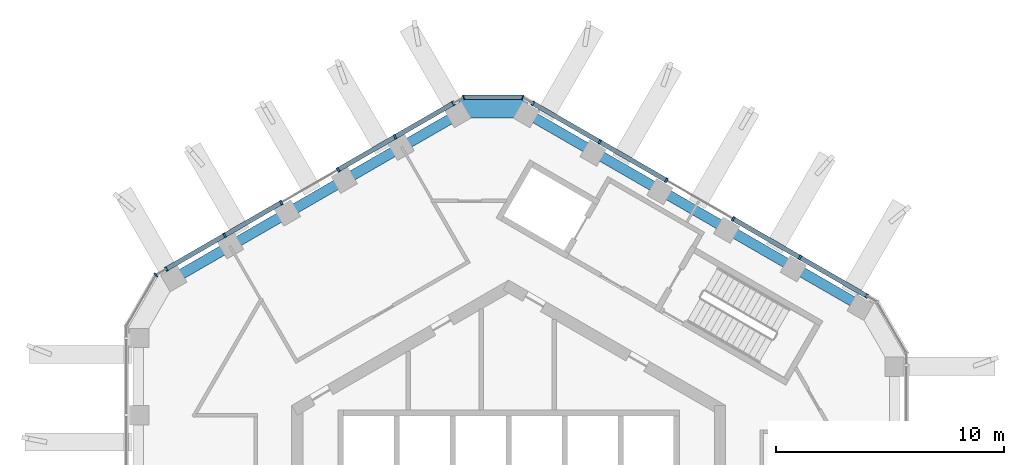
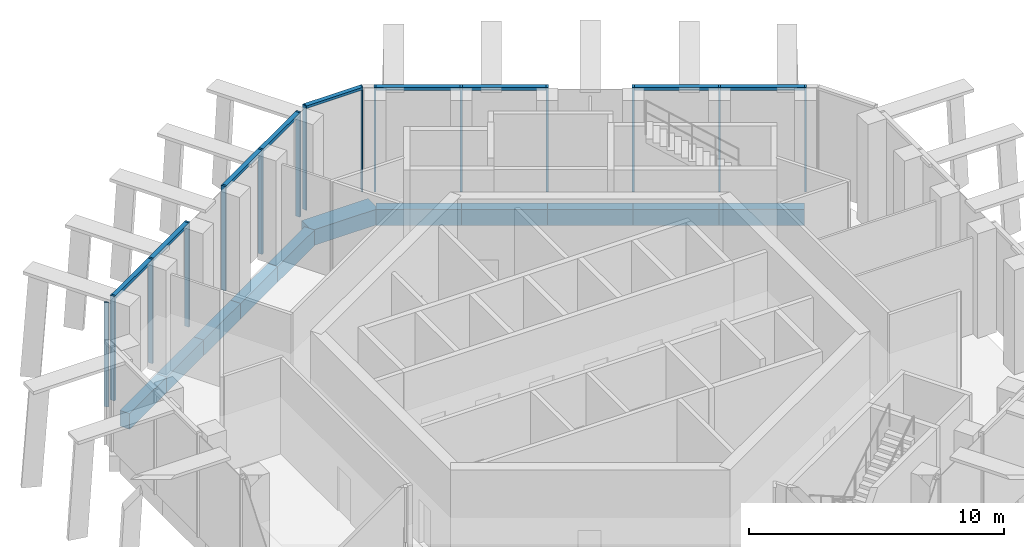
# One storey, part 5 of 17: 20 members, 11 beams, 4 elements without a shape of their own.
"""IFC4 building model written with IfcOpenShell, lengths in metres."""

from ifc_helpers import new_model, si_unit, direction, frame, origin, origin_2d, place, context, subcontext, project, spatial, rectangle, extrude, material, layer, layer_set, material_profile, profile_set, type_object, element, aggregate, save


model = new_model("IFC4")

# Units and contexts
model_context = context("Model", 3, precision=1e-05, world=origin(), true_north=direction((0.0, 1.0)))
body_context = subcontext(model_context, "Body", "Model", "MODEL_VIEW")
ifc_project = project(units=[si_unit("LENGTHUNIT", "METRE"), si_unit("AREAUNIT", "SQUARE_METRE"), si_unit("VOLUMEUNIT", "CUBIC_METRE"), si_unit("PLANEANGLEUNIT", "RADIAN"), si_unit("MASSUNIT", "GRAM", prefix="KILO")], contexts=[model_context])

# Site, building, storey
site_placement = place(None, origin())
site = spatial("IfcSite", under=ifc_project, at=site_placement, CompositionType="ELEMENT")
building_placement = place(site_placement, origin())
building = spatial("IfcBuilding", under=site, at=building_placement, Name="Ayvan Gate Tower", CompositionType="ELEMENT")
storey_placement = place(building_placement, frame((0.0, 0.0, 257.89990234375)))
storey = spatial("IfcBuildingStorey", under=building, at=storey_placement, Name="L69", CompositionType="ELEMENT", Elevation=257.89990234375)

# Beams
ifc_material_1 = material(Name="Concrete C40/50", Category="concrete")
ifc_material_profile_1 = material_profile(ifc_material_1, rectangle(XDim=0.800048828125, YDim=0.75, at=origin_2d()), Name="RC 800x750")
ifc_profile_set_1 = profile_set([ifc_material_profile_1], Name="Concrete C40/50")
beam_type_1 = type_object("IfcBeamType", Name="Corner spandrel beam RC 800x750 C40/50", PredefinedType="BEAM", material=ifc_profile_set_1)
beam_1_placement = place(storey_placement, frame((0.832763671875, 18.46875, -0.77490234375), z_axis=(-1.0, 0.0, 0.0), x_axis=(0.0, -1.0, 0.0)))
element("IfcBeam", 1, at=beam_1_placement, inside=storey, type_object=beam_type_1, Name="SB-L69-12", PredefinedType="BEAM", context=body_context, shape_type="SweptSolid", body=[
    extrude(rectangle(XDim=0.800048828125, YDim=0.75, at=origin_2d()), origin(), (0.0, 0.0, 1.0), 3.0),
])
ifc_material_profile_2 = material_profile(ifc_material_1, rectangle(XDim=0.449951171875, YDim=0.75, at=origin_2d()), Name="RC 450x750")
ifc_profile_set_2 = profile_set([ifc_material_profile_2], Name="Concrete C40/50")
beam_type_2 = type_object("IfcBeamType", Name="Spandrel beam RC 450x750 C40/50", PredefinedType="BEAM", material=ifc_profile_set_2)
beam_2_placement = place(storey_placement, frame((15.387451171875, 9.845703125, -0.77490234375), z_axis=(-0.866048906135, 0.499959290525, 0.0), x_axis=(-0.499959290525, -0.866048906135, 0.0)))
element("IfcBeam", 2, at=beam_2_placement, inside=storey, type_object=beam_type_2, Name="SB-L69-7", PredefinedType="BEAM", context=body_context, shape_type="SweptSolid", body=[
    extrude(rectangle(XDim=0.449951171875, YDim=0.75, at=origin_2d()), origin(), (0.0, 0.0, 1.0), 3.361083984375),
])
for number, where, z_axis, x_axis, name in (
    (3, (12.4765625, 11.526123046875, -0.77490234375), (-0.866017454602, 0.500013768135, 0.0), (-0.500013768135, -0.866017454602, 0.0), "SB-L69-8"),
    (4, (9.565673828125, 13.206787109375, -0.77490234375), (-0.866017454602, 0.500013768135, 0.0), (-0.500013768135, -0.866017454602, 0.0), "SB-L69-9"),
    (5, (6.65478515625, 14.887451171875, -0.77490234375), (-0.866035612436, 0.49998231768, 0.0), (-0.49998231768, -0.866035612436, 0.0), "SB-L69-10"),
    (6, (3.74365234375, 16.568115234375, -0.77490234375), (-0.866017454602, 0.500013768135, 0.0), (-0.500013768135, -0.866017454602, 0.0), "SB-L69-11"),
):
    element("IfcBeam", number, at=place(storey_placement, frame(where, z_axis=z_axis, x_axis=x_axis)), inside=storey, type_object=beam_type_2, Name=name, PredefinedType="BEAM", context=body_context, shape_type="SweptSolid", body=[
        extrude(rectangle(XDim=0.449951171875, YDim=0.75, at=origin_2d()), origin(), (0.0, 0.0, 1.0), 3.361328125),
    ])
beam_3_placement = place(storey_placement, frame((-2.167236328125, 18.248779296875, -0.77490234375), z_axis=(-0.86602149507, -0.500006770031, 0.0), x_axis=(0.500006770031, -0.86602149507, 0.0)))
element("IfcBeam", 7, at=beam_3_placement, inside=storey, type_object=beam_type_2, Name="SB-L69-13", PredefinedType="BEAM", context=body_context, shape_type="SweptSolid", body=[
    extrude(rectangle(XDim=0.449951171875, YDim=0.75, at=origin_2d()), origin(), (0.0, 0.0, 1.0), 2.89892578125),
])
beam_4_placement = place(storey_placement, frame((-4.677734375, 16.79931640625, -0.77490234375), z_axis=(-0.866042548026, -0.499970304126, 0.0), x_axis=(0.499970304126, -0.866042548026, 0.0)))
element("IfcBeam", 8, at=beam_4_placement, inside=storey, type_object=beam_type_2, Name="SB-L69-14", PredefinedType="BEAM", context=body_context, shape_type="SweptSolid", body=[
    extrude(rectangle(XDim=0.449951171875, YDim=0.75, at=origin_2d()), origin(), (0.0, 0.0, 1.0), 2.899169921875),
])
beam_5_placement = place(storey_placement, frame((-7.1884765625, 15.349853515625, -0.77490234375), z_axis=(-0.865985026181, -0.50006992954, 0.0), x_axis=(0.50006992954, -0.865985026181, 0.0)))
element("IfcBeam", 9, at=beam_5_placement, inside=storey, type_object=beam_type_2, Name="SB-L69-15", PredefinedType="BEAM", context=body_context, shape_type="SweptSolid", body=[
    extrude(rectangle(XDim=0.449951171875, YDim=0.75, at=origin_2d()), origin(), (0.0, 0.0, 1.0), 2.89892578125),
])
beam_6_placement = place(storey_placement, frame((-9.698974609375, 13.900146484375, -0.77490234375), z_axis=(-0.866042548026, -0.499970304126, 0.0), x_axis=(0.499970304126, -0.866042548026, 0.0)))
element("IfcBeam", 10, at=beam_6_placement, inside=storey, type_object=beam_type_2, Name="SB-L69-16", PredefinedType="BEAM", context=body_context, shape_type="SweptSolid", body=[
    extrude(rectangle(XDim=0.449951171875, YDim=0.75, at=origin_2d()), origin(), (0.0, 0.0, 1.0), 2.899169921875),
])
beam_7_placement = place(storey_placement, frame((-12.209716796875, 12.45068359375, -0.77490234375), z_axis=(-0.86602149507, -0.500006770031, 0.0), x_axis=(0.500006770031, -0.86602149507, 0.0)))
element("IfcBeam", 11, at=beam_7_placement, inside=storey, type_object=beam_type_2, Name="SB-L69-17", PredefinedType="BEAM", context=body_context, shape_type="SweptSolid", body=[
    extrude(rectangle(XDim=0.449951171875, YDim=0.75, at=origin_2d()), origin(), (0.0, 0.0, 1.0), 2.89892578125),
])

# Curtain wall, members
ifc_material_2 = material(Name="Bronze anodised aluminium", Category="aluminium")
ifc_layer_1 = layer(ifc_material_2, 0.199951171875)
ifc_layer_set_1 = layer_set([ifc_layer_1], Name="Bronze anodised aluminium")
curtain_wall_type_1 = type_object("IfcCurtainWallType", Name="Stick curtain wall CW-5", PredefinedType="NOTDEFINED", material=ifc_layer_set_1)
curtain_wall_1_placement = place(storey_placement, origin())
curtain_wall_1 = element("IfcCurtainWall", 12, at=curtain_wall_1_placement, inside=storey, type_object=curtain_wall_type_1, Name="Stick curtain wall CW-5 L69", PredefinedType="NOTDEFINED")
ifc_material_profile_3 = material_profile(ifc_material_2, rectangle(XDim=0.199951171875, YDim=0.090087890625, at=origin_2d()), Name="Stick curtain wall CW-5 mullion 200 x 90")
ifc_profile_set_3 = profile_set([ifc_material_profile_3], Name="Bronze anodised aluminium")
member_type_1 = type_object("IfcMemberType", Name="Stick curtain wall CW-5 mullion 200 x 90", PredefinedType="MULLION", material=ifc_profile_set_3)
member_1_placement = place(storey_placement, frame((-2.42236328125, 18.707763671875, 0.0), z_axis=(0.0, 0.0, 1.0), x_axis=(-0.5, 0.866025403784, 0.0)))
member_1 = element("IfcMember", 13, at=member_1_placement, type_object=member_type_1, Name="CW-5 mullion 1", PredefinedType="MULLION", context=body_context, shape_type="SweptSolid", body=[
    extrude(rectangle(XDim=0.199951171875, YDim=0.090087890625, at=origin_2d()), origin(), (0.0, 0.0, 1.0), 5.0),
])
member_2_placement = place(storey_placement, frame((-4.974609375, 17.234130859375, 0.0), z_axis=(0.0, 0.0, 1.0), x_axis=(-0.5, 0.866025403784, 0.0)))
member_2 = element("IfcMember", 14, at=member_2_placement, type_object=member_type_1, Name="CW-5 mullion 2", PredefinedType="MULLION", context=body_context, shape_type="SweptSolid", body=[
    extrude(rectangle(XDim=0.199951171875, YDim=0.090087890625, at=origin_2d()), origin(), (0.0, 0.0, 1.0), 5.0),
])
member_3_placement = place(storey_placement, frame((-7.462646484375, 15.797607421875, 0.0), z_axis=(0.0, 0.0, 1.0), x_axis=(-0.5, 0.866025403784, 0.0)))
member_3 = element("IfcMember", 15, at=member_3_placement, type_object=member_type_1, Name="CW-5 mullion 3", PredefinedType="MULLION", context=body_context, shape_type="SweptSolid", body=[
    extrude(rectangle(XDim=0.199951171875, YDim=0.090087890625, at=origin_2d()), origin(), (0.0, 0.0, 1.0), 5.0),
])
member_4_placement = place(storey_placement, frame((-9.949951171875, 14.361572265625, 0.0), z_axis=(0.0, 0.0, 1.0), x_axis=(-0.5, 0.866025403784, 0.0)))
member_4 = element("IfcMember", 16, at=member_4_placement, type_object=member_type_1, Name="CW-5 mullion 4", PredefinedType="MULLION", context=body_context, shape_type="SweptSolid", body=[
    extrude(rectangle(XDim=0.199951171875, YDim=0.090087890625, at=origin_2d()), origin(), (0.0, 0.0, 1.0), 5.0),
])
member_5_placement = place(storey_placement, frame((-12.43798828125, 12.925048828125, 0.0), z_axis=(0.0, 0.0, 1.0), x_axis=(-0.5, 0.866025403784, 0.0)))
member_5 = element("IfcMember", 17, at=member_5_placement, type_object=member_type_1, Name="CW-5 mullion 5", PredefinedType="MULLION", context=body_context, shape_type="SweptSolid", body=[
    extrude(rectangle(XDim=0.199951171875, YDim=0.090087890625, at=origin_2d()), origin(), (0.0, 0.0, 1.0), 5.0),
])
member_6_placement = place(storey_placement, frame((-14.990234375, 11.45166015625, 0.0), z_axis=(0.0, 0.0, 1.0), x_axis=(-0.5, 0.866025403784, 0.0)))
member_6 = element("IfcMember", 18, at=member_6_placement, type_object=member_type_1, Name="CW-5 mullion 6", PredefinedType="MULLION", context=body_context, shape_type="SweptSolid", body=[
    extrude(rectangle(XDim=0.199951171875, YDim=0.090087890625, at=origin_2d()), origin(), (0.0, 0.0, 1.0), 5.0),
])

curtain_wall_2_placement = place(storey_placement, origin())
curtain_wall_2 = element("IfcCurtainWall", 19, at=curtain_wall_2_placement, inside=storey, type_object=curtain_wall_type_1, Name="Stick curtain wall CW-5 L69", PredefinedType="NOTDEFINED")
member_7_placement = place(storey_placement, frame((15.6708984375, 10.2724609375, 0.0), z_axis=(0.0, 0.0, 1.0), x_axis=(0.5, 0.866025403784, 0.0)))
member_7 = element("IfcMember", 20, at=member_7_placement, type_object=member_type_1, Name="CW-5 mullion 1", PredefinedType="MULLION", context=body_context, shape_type="SweptSolid", body=[
    extrude(rectangle(XDim=0.199951171875, YDim=0.090087890625, at=origin_2d()), origin(), (0.0, 0.0, 1.0), 5.0),
])
member_8_placement = place(storey_placement, frame((12.749755859375, 11.958984375, 0.0), z_axis=(0.0, 0.0, 1.0), x_axis=(0.5, 0.866025403784, 0.0)))
member_8 = element("IfcMember", 21, at=member_8_placement, type_object=member_type_1, Name="CW-5 mullion 2", PredefinedType="MULLION", context=body_context, shape_type="SweptSolid", body=[
    extrude(rectangle(XDim=0.199951171875, YDim=0.090087890625, at=origin_2d()), origin(), (0.0, 0.0, 1.0), 5.0),
])
member_9_placement = place(storey_placement, frame((9.826904296875, 13.646484375, 0.0), z_axis=(0.0, 0.0, 1.0), x_axis=(0.5, 0.866025403784, 0.0)))
member_9 = element("IfcMember", 22, at=member_9_placement, type_object=member_type_1, Name="CW-5 mullion 3", PredefinedType="MULLION", context=body_context, shape_type="SweptSolid", body=[
    extrude(rectangle(XDim=0.199951171875, YDim=0.090087890625, at=origin_2d()), origin(), (0.0, 0.0, 1.0), 5.0),
])
member_10_placement = place(storey_placement, frame((6.905029296875, 15.33349609375, 0.0), z_axis=(0.0, 0.0, 1.0), x_axis=(0.5, 0.866025403784, 0.0)))
member_10 = element("IfcMember", 23, at=member_10_placement, type_object=member_type_1, Name="CW-5 mullion 4", PredefinedType="MULLION", context=body_context, shape_type="SweptSolid", body=[
    extrude(rectangle(XDim=0.199951171875, YDim=0.090087890625, at=origin_2d()), origin(), (0.0, 0.0, 1.0), 5.0),
])
member_11_placement = place(storey_placement, frame((3.982177734375, 17.02099609375, 0.0), z_axis=(0.0, 0.0, 1.0), x_axis=(0.5, 0.866025403784, 0.0)))
member_11 = element("IfcMember", 24, at=member_11_placement, type_object=member_type_1, Name="CW-5 mullion 5", PredefinedType="MULLION", context=body_context, shape_type="SweptSolid", body=[
    extrude(rectangle(XDim=0.199951171875, YDim=0.090087890625, at=origin_2d()), origin(), (0.0, 0.0, 1.0), 5.0),
])
member_12_placement = place(storey_placement, frame((1.060791015625, 18.707763671875, 0.0), z_axis=(0.0, 0.0, 1.0), x_axis=(0.5, 0.866025403784, 0.0)))
member_12 = element("IfcMember", 25, at=member_12_placement, type_object=member_type_1, Name="CW-5 mullion 6", PredefinedType="MULLION", context=body_context, shape_type="SweptSolid", body=[
    extrude(rectangle(XDim=0.199951171875, YDim=0.090087890625, at=origin_2d()), origin(), (0.0, 0.0, 1.0), 5.0),
])

# Member
ifc_material_profile_4 = material_profile(ifc_material_2, rectangle(XDim=0.199951171875, YDim=0.14990234375, at=origin_2d()), Name="Stick curtain wall CW-5 transom 200 x 150")
ifc_profile_set_4 = profile_set([ifc_material_profile_4], Name="Bronze anodised aluminium")
member_type_2 = type_object("IfcMemberType", Name="Stick curtain wall CW-5 transom 200 x 150", PredefinedType="USERDEFINED", material=ifc_profile_set_4)
member_13_placement = place(storey_placement, frame((-2.42236328125, 18.707763671875, 4.925048828125), z_axis=(-0.866007468482, -0.500031063569, 0.0), x_axis=(0.500031063569, -0.866007468482, 0.0)))
member_13 = element("IfcMember", 26, at=member_13_placement, type_object=member_type_2, Name="CW-5 transom 1", ObjectType="TRANSOM", PredefinedType="USERDEFINED", context=body_context, shape_type="SweptSolid", body=[
    extrude(rectangle(XDim=0.199951171875, YDim=0.14990234375, at=origin_2d()), origin(), (0.0, 0.0, 1.0), 5.775146484375),
])

member_14_placement = place(storey_placement, frame((-9.98876953125, 14.339111328125, 4.925048828125), z_axis=(-0.866036343161, -0.499981051965, 0.0), x_axis=(0.499981051965, -0.866036343161, 0.0)))
member_14 = element("IfcMember", 27, at=member_14_placement, type_object=member_type_2, Name="CW-5 transom 2", ObjectType="TRANSOM", PredefinedType="USERDEFINED", context=body_context, shape_type="SweptSolid", body=[
    extrude(rectangle(XDim=0.199951171875, YDim=0.14990234375, at=origin_2d()), origin(), (0.0, 0.0, 1.0), 5.775146484375),
])

aggregate(curtain_wall_1, [member_1, member_2, member_3, member_4, member_5, member_6, member_13, member_14])

member_15_placement = place(storey_placement, frame((15.6708984375, 10.2724609375, 4.925048828125), z_axis=(-0.866019999656, 0.500009360108, 0.0), x_axis=(-0.500009360108, -0.866019999656, 0.0)))
member_15 = element("IfcMember", 28, at=member_15_placement, type_object=member_type_2, Name="CW-5 transom 1", ObjectType="TRANSOM", PredefinedType="USERDEFINED", context=body_context, shape_type="SweptSolid", body=[
    extrude(rectangle(XDim=0.199951171875, YDim=0.14990234375, at=origin_2d()), origin(), (0.0, 0.0, 1.0), 6.702880859375),
])

member_16_placement = place(storey_placement, frame((6.865966796875, 15.35595703125, 4.925048828125), z_axis=(-0.866013334258, 0.500020904451, 0.0), x_axis=(-0.500020904451, -0.866013334258, 0.0)))
member_16 = element("IfcMember", 29, at=member_16_placement, type_object=member_type_2, Name="CW-5 transom 2", ObjectType="TRANSOM", PredefinedType="USERDEFINED", context=body_context, shape_type="SweptSolid", body=[
    extrude(rectangle(XDim=0.199951171875, YDim=0.14990234375, at=origin_2d()), origin(), (0.0, 0.0, 1.0), 6.703369140625),
])

aggregate(curtain_wall_2, [member_7, member_8, member_9, member_10, member_11, member_12, member_15, member_16])

# Curtain wall, member
ifc_layer_2 = layer(ifc_material_2, 0.199951171875)
ifc_layer_set_2 = layer_set([ifc_layer_2], Name="Bronze anodised aluminium")
curtain_wall_type_2 = type_object("IfcCurtainWallType", Name="Stick curtain wall CW-6", PredefinedType="NOTDEFINED", material=ifc_layer_set_2)
curtain_wall_3_placement = place(storey_placement, origin())
curtain_wall_3 = element("IfcCurtainWall", 30, at=curtain_wall_3_placement, inside=storey, type_object=curtain_wall_type_2, Name="Stick curtain wall CW-6 L69", PredefinedType="NOTDEFINED")
ifc_material_profile_5 = material_profile(ifc_material_2, rectangle(XDim=0.199951171875, YDim=0.050048828125, at=origin_2d()), Name="Stick curtain wall CW-6 mullion 200 x 50")
ifc_profile_set_5 = profile_set([ifc_material_profile_5], Name="Bronze anodised aluminium")
member_type_3 = type_object("IfcMemberType", Name="Stick curtain wall CW-6 mullion 200 x 50", PredefinedType="MULLION", material=ifc_profile_set_5)
member_17_placement = place(storey_placement, frame((-15.4404296875, 11.191650390625, 0.0), z_axis=(0.0, 0.0, 1.0), x_axis=(-0.707106781187, 0.707106781187, 0.0)))
member_17 = element("IfcMember", 31, at=member_17_placement, type_object=member_type_3, Name="CW-6 mullion 2", PredefinedType="MULLION", context=body_context, shape_type="SweptSolid", body=[
    extrude(rectangle(XDim=0.199951171875, YDim=0.050048828125, at=origin_2d()), origin(), (0.0, 0.0, 1.0), 5.0),
])
aggregate(curtain_wall_3, [member_17])

# Curtain wall, members
curtain_wall_4_placement = place(storey_placement, origin())
curtain_wall_4 = element("IfcCurtainWall", 32, at=curtain_wall_4_placement, inside=storey, type_object=curtain_wall_type_2, Name="Stick curtain wall CW-6 L69", PredefinedType="NOTDEFINED")
member_18_placement = place(storey_placement, frame((0.610595703125, 18.9677734375, 0.0), z_axis=(0.0, 0.0, 1.0), x_axis=(0.258819045103, 0.965925826289, 0.0)))
member_18 = element("IfcMember", 33, at=member_18_placement, type_object=member_type_3, Name="CW-6 mullion 2", PredefinedType="MULLION", context=body_context, shape_type="SweptSolid", body=[
    extrude(rectangle(XDim=0.199951171875, YDim=0.050048828125, at=origin_2d()), origin(), (0.0, 0.0, 1.0), 5.0),
])
member_19_placement = place(storey_placement, frame((-1.971923828125, 18.9677734375, 0.0), z_axis=(0.0, 0.0, 1.0), x_axis=(-0.258819045103, 0.965925826289, 0.0)))
member_19 = element("IfcMember", 34, at=member_19_placement, type_object=member_type_3, Name="CW-6 mullion 3", PredefinedType="MULLION", context=body_context, shape_type="SweptSolid", body=[
    extrude(rectangle(XDim=0.199951171875, YDim=0.050048828125, at=origin_2d()), origin(), (0.0, 0.0, 1.0), 5.0),
])
ifc_material_profile_6 = material_profile(ifc_material_2, rectangle(XDim=0.199951171875, YDim=0.1201171875, at=origin_2d()), Name="Stick curtain wall CW-6 transom 200 x 120")
ifc_profile_set_6 = profile_set([ifc_material_profile_6], Name="Bronze anodised aluminium")
member_type_4 = type_object("IfcMemberType", Name="Stick curtain wall CW-6 transom 200 x 120", PredefinedType="USERDEFINED", material=ifc_profile_set_6)
member_20_placement = place(storey_placement, frame((0.58544921875, 18.9677734375, 4.940185546875), z_axis=(-1.0, 0.0, 0.0), x_axis=(0.0, -1.0, 0.0)))
member_20 = element("IfcMember", 35, at=member_20_placement, type_object=member_type_4, Name="CW-6 transom 2", ObjectType="TRANSOM", PredefinedType="USERDEFINED", context=body_context, shape_type="SweptSolid", body=[
    extrude(rectangle(XDim=0.199951171875, YDim=0.1201171875, at=origin_2d()), origin(), (0.0, 0.0, 1.0), 2.532470703125),
])
aggregate(curtain_wall_4, [member_18, member_19, member_20])

save(model, "model.ifc")
